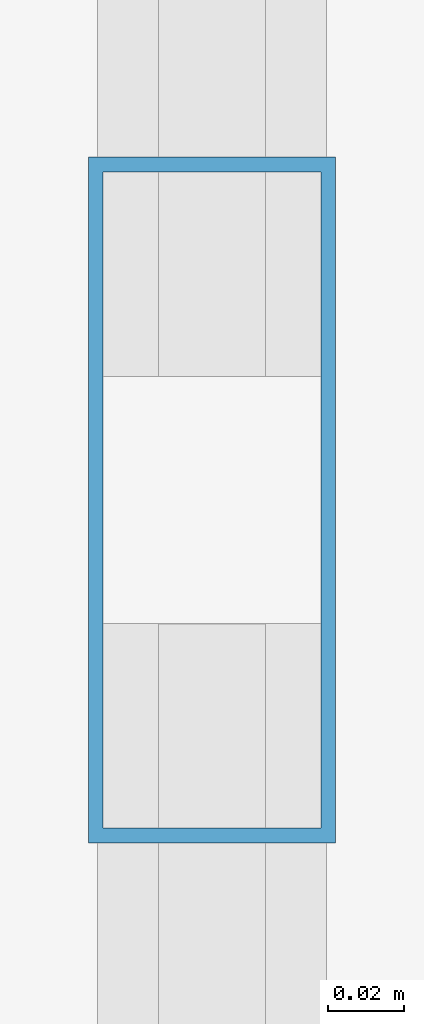
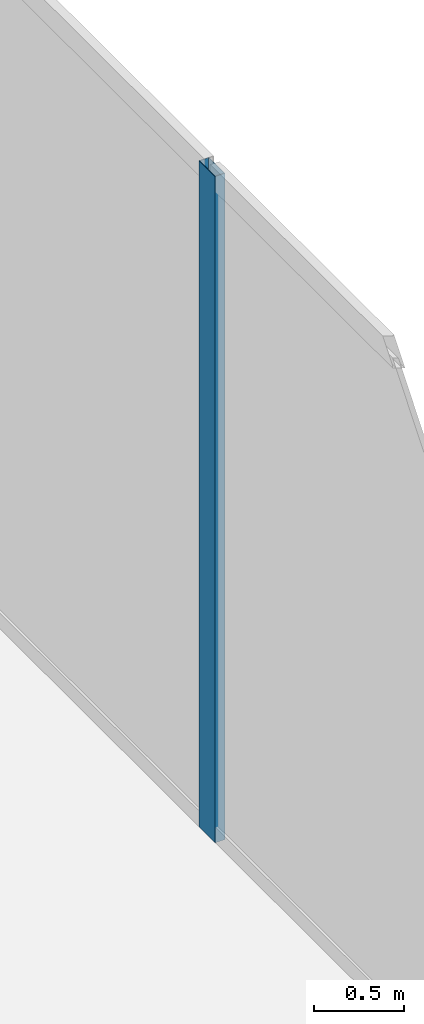
# One storey, part 40 of 58: 1 member, 1 element without a shape of its own.
"""IFC4 building model written with IfcOpenShell, lengths in metres."""

from ifc_helpers import new_model, si_unit, direction, frame, origin, origin_2d, place, context, subcontext, project, spatial, hollow_rectangle, extrude, source, transform, mapped, material, layer, layer_set, material_profile, profile_set, type_object, element, aggregate, save


model = new_model("IFC4")

# Units and contexts
model_context = context("Model", 3, precision=1e-05, world=origin(), true_north=direction((0.0, 1.0)))
body_context = subcontext(model_context, "Body", "Model", "MODEL_VIEW")
ifc_project = project(units=[si_unit("LENGTHUNIT", "METRE"), si_unit("AREAUNIT", "SQUARE_METRE"), si_unit("VOLUMEUNIT", "CUBIC_METRE"), si_unit("PLANEANGLEUNIT", "RADIAN"), si_unit("MASSUNIT", "GRAM", prefix="KILO"), si_unit("THERMODYNAMICTEMPERATUREUNIT", "KELVIN"), si_unit("POWERUNIT", "WATT")], contexts=[model_context])

# Site, building, storey
site_placement = place(None, origin())
site = spatial("IfcSite", under=ifc_project, at=site_placement, CompositionType="ELEMENT")
building_placement = place(site_placement, origin())
building = spatial("IfcBuilding", under=site, at=building_placement, Name="Yunzhuo Pagoda Commons", CompositionType="ELEMENT")
storey_placement = place(building_placement, origin())
storey = spatial("IfcBuildingStorey", under=building, at=storey_placement, Name="L01", CompositionType="ELEMENT", Elevation=0.0)

# Curtain wall, member
ifc_material = material(Name="Anodized aluminium 6063-T6", Category="aluminium")
ifc_layer = layer(ifc_material, 0.179931640625)
ifc_layer_set = layer_set([ifc_layer], Name="Anodized aluminium 6063-T6")
curtain_wall_type = type_object("IfcCurtainWallType", Name="CW-POD Waterfront Podium Curtain Wall", PredefinedType="NOTDEFINED", material=ifc_layer_set)
curtain_wall_placement = place(storey_placement, origin())
curtain_wall = element("IfcCurtainWall", 1, at=curtain_wall_placement, inside=storey, type_object=curtain_wall_type, Name="L01 curtain wall CW-L01-E4", PredefinedType="NOTDEFINED")
ifc_material_profile = material_profile(ifc_material, hollow_rectangle(XDim=0.06494140625, YDim=0.179931640625, WallThickness=0.00390625, at=origin_2d()), Name="Anodized aluminium 6063-T6")
ifc_profile_set = profile_set([ifc_material_profile], Name="Anodized aluminium 6063-T6")
member_type = type_object("IfcMemberType", Name="CW-POD-M Mullion RHS 180x65x4", PredefinedType="MULLION", material=ifc_profile_set)
shared_shape = source(origin(), body_context, "Body", "SweptSolid", [
    extrude(hollow_rectangle(XDim=0.06494140625, YDim=0.179931640625, WallThickness=0.00390625, at=origin_2d()), origin(), (0.0, 0.0, 1.0), 4.520263671875),
])
member_placement = place(storey_placement, frame((91.919921875, 68.666748046875, 0.0), z_axis=(0.0, 0.0, 1.0), x_axis=(-1.0, 0.0, 0.0)))
member = element("IfcMember", 2, at=member_placement, type_object=member_type, Name="CW mullion 2", PredefinedType="MULLION", context=body_context, shape_type="MappedRepresentation", body=[
    mapped(shared_shape, transform((0.0, 0.0, 0.0), scale=1.0)),
])
aggregate(curtain_wall, [member])

save(model, "model.ifc")
